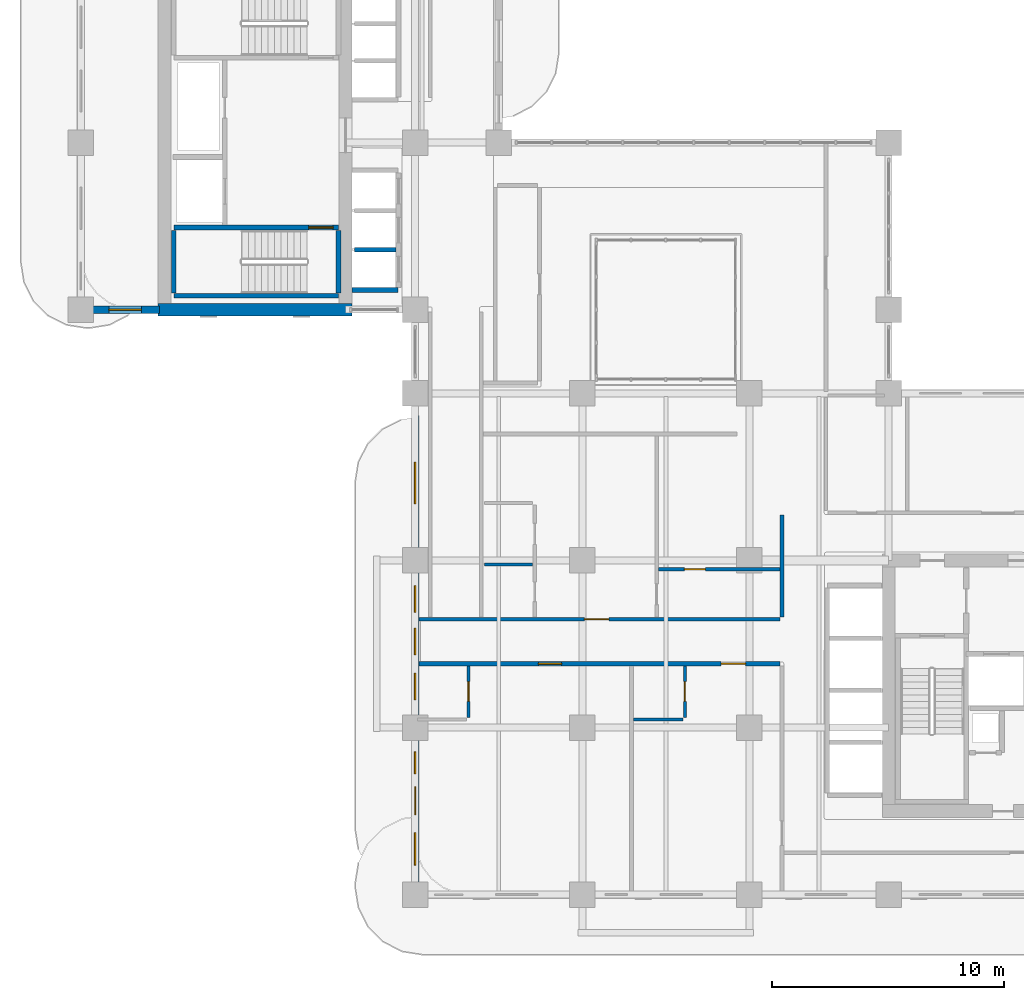
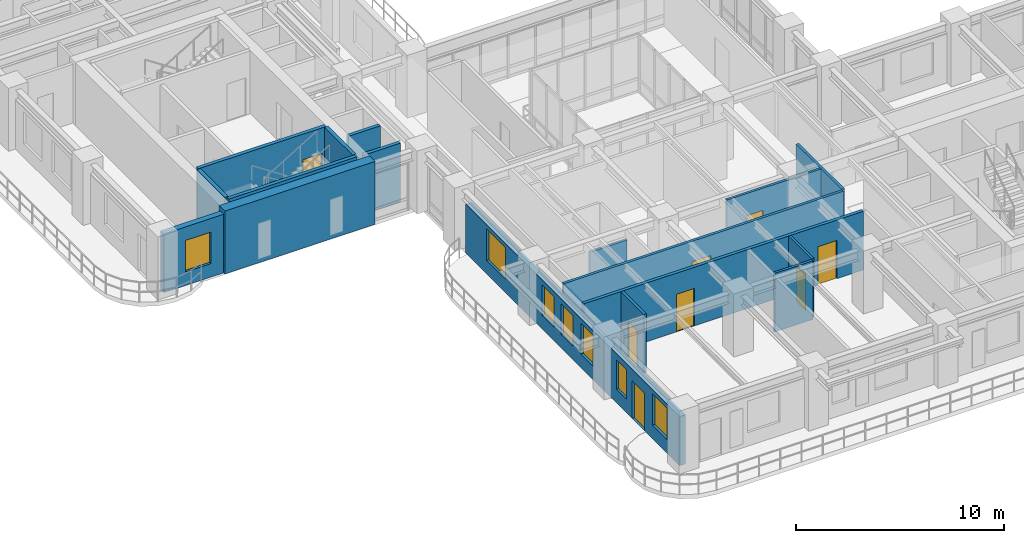
# One storey, part 12 of 22: 17 walls, 8 doors, 7 windows, 15 openings.
"""IFC4 building model written with IfcOpenShell, lengths in metres."""

from ifc_helpers import new_model, si_unit, derived_unit, direction, frame, frame_2d, origin, place, context, subcontext, project, spatial, rectangle, extrude, source, transform, mapped, material, layer, layer_set, type_object, type_shapes, element, fill, save


model = new_model("IFC4")

# Units and contexts
model_context = context("Model", 3, precision=1e-05, world=origin(), true_north=direction((0.0, 1.0)))
body_context = subcontext(model_context, "Body", "Model", "MODEL_VIEW")
ifc_project = project(units=[si_unit("LENGTHUNIT", "METRE"), si_unit("AREAUNIT", "SQUARE_METRE"), si_unit("VOLUMEUNIT", "CUBIC_METRE"), si_unit("PLANEANGLEUNIT", "RADIAN"), si_unit("MASSUNIT", "GRAM", prefix="KILO"), si_unit("THERMODYNAMICTEMPERATUREUNIT", "KELVIN"), si_unit("POWERUNIT", "WATT"), derived_unit("THERMALTRANSMITTANCEUNIT", [(si_unit("POWERUNIT", "WATT"), 1), (si_unit("AREAUNIT", "SQUARE_METRE"), -1), (si_unit("THERMODYNAMICTEMPERATUREUNIT", "KELVIN"), -1)])], contexts=[model_context])

# Site, building, storey
site_placement = place(None, origin())
site = spatial("IfcSite", under=ifc_project, at=site_placement, CompositionType="ELEMENT")
building_placement = place(site_placement, origin())
building = spatial("IfcBuilding", under=site, at=building_placement, Name="Zahravan Archway Hotel and Residences", CompositionType="ELEMENT")
storey_placement = place(building_placement, frame((0.0, 0.0, 84.199951171875)))
storey = spatial("IfcBuildingStorey", under=building, at=storey_placement, Name="L20", CompositionType="ELEMENT", Elevation=84.199951171875)

# Wall
ifc_material_1 = material(Name="Concrete C70/85", Category="concrete")
ifc_layer_1 = layer(ifc_material_1, 0.550048828125, Name="Concrete C70/85", Category="concrete")
ifc_layer_set_1 = layer_set([ifc_layer_1], Name="Concrete C70/85")
wall_type_1 = type_object("IfcWallType", Name="CW-CORE-550", PredefinedType="SHEAR", material=ifc_layer_set_1)
wall_1_placement = place(storey_placement, frame((3.324951171875, 25.199951171875, 0.0), z_axis=(0.0, 0.0, 1.0), x_axis=(1.0, 0.0, 0.0)))
element("IfcWall", 1, at=wall_1_placement, inside=storey, type_object=wall_type_1, Name="L20 Core B Shear S Wall 550 mm", PredefinedType="SHEAR", context=body_context, shape_type="SweptSolid", body=[
    extrude(rectangle(XDim=8.35009765625, YDim=0.550048828125, at=frame_2d((4.175048828125, 0.0))), origin(), (0.0, 0.0, 1.0), 3.699951171875),
])

# Wall, openings, door, windows
ifc_material_2 = material(Name="Agra Buff Sandstone & Insulated Backup", Category="masonry")
ifc_layer_2 = layer(ifc_material_2, 0.320068359375, Name="Agra Buff Sandstone & Insulated Backup", Category="masonry")
ifc_layer_set_2 = layer_set([ifc_layer_2], Name="Agra Buff Sandstone & Insulated Backup")
wall_type_2 = type_object("IfcWallType", Name="EW-SAND-320", PredefinedType="SOLIDWALL", material=ifc_layer_set_2)
wall_2_placement = place(storey_placement, frame((14.39990234375, 0.050048828125, 0.0), z_axis=(0.0, 0.0, 1.0), x_axis=(0.0, 1.0, 0.0)))
wall_2 = element("IfcWall", 2, at=wall_2_placement, inside=storey, type_object=wall_type_2, Name="L20 Exterior Sandstone Wall WA-WL", PredefinedType="SOLIDWALL", context=body_context, shape_type="SweptSolid", body=[
    extrude(rectangle(XDim=20.599853515625, YDim=0.320068359375, at=frame_2d((10.2998046875, 0.0))), origin(), (0.0, 0.0, 1.0), 2.885009765625),
])
opening_1_placement = place(wall_2_placement, frame((3.39990234375, 0.0, 0.0)))
opening_1 = element("IfcOpeningElement", 3, at=opening_1_placement, cuts=wall_2, Name="Opening ED-BL1", PredefinedType="OPENING", context=body_context, shape_type="SweptSolid", body=[
    extrude(rectangle(XDim=1.199951171875, YDim=2.199951171875, at=frame_2d((0.60009765625, 1.10009765625))), frame((0.0, 0.169921875, 0.0), z_axis=(0.0, -1.0, 0.0), x_axis=(1.0, 0.0, 0.0)), (0.0, 0.0, 1.0), 0.340087890625),
])
opening_2_placement = place(wall_2_placement, frame((1.22509765625, 0.0, 0.800048828125)))
opening_2 = element("IfcOpeningElement", 4, at=opening_2_placement, cuts=wall_2, Name="Opening W-03", PredefinedType="OPENING", context=body_context, shape_type="SweptSolid", body=[
    extrude(rectangle(XDim=1.39990234375, YDim=1.85009765625, at=frame_2d((0.699951171875, 0.925048828125))), frame((0.0, 0.169921875, 0.0), z_axis=(0.0, -1.0, 0.0), x_axis=(1.0, 0.0, 0.0)), (0.0, 0.0, 1.0), 0.340087890625),
])
opening_3_placement = place(wall_2_placement, frame((5.14990234375, 0.0, 0.800048828125)))
opening_3 = element("IfcOpeningElement", 5, at=opening_3_placement, cuts=wall_2, Name="Opening W-04", PredefinedType="OPENING", context=body_context, shape_type="SweptSolid", body=[
    extrude(rectangle(XDim=0.949951171875, YDim=1.75, at=frame_2d((0.47509765625, 0.875))), frame((0.0, 0.169921875, 0.0), z_axis=(0.0, -1.0, 0.0), x_axis=(1.0, 0.0, 0.0)), (0.0, 0.0, 1.0), 0.340087890625),
])
opening_4_placement = place(wall_2_placement, frame((8.345947265625, 0.0, 0.800048828125)))
opening_4 = element("IfcOpeningElement", 6, at=opening_4_placement, cuts=wall_2, Name="Opening W-05", PredefinedType="OPENING", context=body_context, shape_type="SweptSolid", body=[
    extrude(rectangle(XDim=1.14990234375, YDim=1.800048828125, at=frame_2d((0.574951171875, 0.89990234375))), frame((0.0, 0.169921875, 0.0), z_axis=(0.0, -1.0, 0.0), x_axis=(1.0, 0.0, 0.0)), (0.0, 0.0, 1.0), 0.340087890625),
])
opening_5_placement = place(wall_2_placement, frame((10.284912109375, 0.0, 0.800048828125)))
opening_5 = element("IfcOpeningElement", 7, at=opening_5_placement, cuts=wall_2, Name="Opening W-05", PredefinedType="OPENING", context=body_context, shape_type="SweptSolid", body=[
    extrude(rectangle(XDim=1.14990234375, YDim=1.800048828125, at=frame_2d((0.574951171875, 0.89990234375))), frame((0.0, 0.169921875, 0.0), z_axis=(0.0, -1.0, 0.0), x_axis=(1.0, 0.0, 0.0)), (0.0, 0.0, 1.0), 0.340087890625),
])
opening_6_placement = place(wall_2_placement, frame((12.114013671875, 0.0, 0.800048828125)))
opening_6 = element("IfcOpeningElement", 8, at=opening_6_placement, cuts=wall_2, Name="Opening W-05", PredefinedType="OPENING", context=body_context, shape_type="SweptSolid", body=[
    extrude(rectangle(XDim=1.14990234375, YDim=1.800048828125, at=frame_2d((0.574951171875, 0.89990234375))), frame((0.0, 0.169921875, 0.0), z_axis=(0.0, -1.0, 0.0), x_axis=(1.0, 0.0, 0.0)), (0.0, 0.0, 1.0), 0.340087890625),
])
opening_7_placement = place(wall_2_placement, frame((16.7900390625, 0.0, 0.800048828125)))
opening_7 = element("IfcOpeningElement", 9, at=opening_7_placement, cuts=wall_2, Name="Opening W-02", PredefinedType="OPENING", context=body_context, shape_type="SweptSolid", body=[
    extrude(rectangle(XDim=1.800048828125, YDim=1.85009765625, at=frame_2d((0.89990234375, 0.925048828125))), frame((0.0, 0.169921875, 0.0), z_axis=(0.0, -1.0, 0.0), x_axis=(1.0, 0.0, 0.0)), (0.0, 0.0, 1.0), 0.340087890625),
])
ifc_material_3 = material(Name="Bronze-Anodized Glazed Aluminium", Category="aluminium")
door_type_1 = type_object("IfcDoorType", Name="ED-BALC-1200", OperationType="SLIDING_TO_LEFT", PredefinedType="DOOR", material=ifc_material_3)
shared_shape_1 = source(origin(), body_context, "Body", "SweptSolid", [
    extrude(rectangle(XDim=1.199951171875, YDim=2.199951171875, at=frame_2d((0.60009765625, 1.10009765625))), frame((0.0, 0.02490234375, 0.0), z_axis=(0.0, -1.0, 0.0), x_axis=(1.0, 0.0, 0.0)), (0.0, 0.0, 1.0), 0.050048828125),
])
type_shapes(door_type_1, [shared_shape_1])
door_1_placement = place(opening_1_placement, origin())
door_1 = element("IfcDoor", 10, at=door_1_placement, inside=storey, type_object=door_type_1, Name="L20 Outdoor Access Sliding Door (SLB-BAL-L20-WA)", OperationType="SLIDING_TO_LEFT", OverallHeight=2.199951171875, OverallWidth=1.199951171875, PredefinedType="DOOR", context=body_context, shape_type="MappedRepresentation", body=[
    mapped(shared_shape_1, transform((0.0, 0.0, 0.0), scale=1.0)),
])
fill(opening_1, door_1)
ifc_material_4 = material(Name="Bronze-Anodized Thermal-Break Aluminium & Low-E Glass", Category="aluminium")
window_type_1 = type_object("IfcWindowType", Name="WIN-TWR-1400", PartitioningType="SINGLE_PANEL", PredefinedType="WINDOW", material=ifc_material_4)
shared_shape_2 = source(origin(), body_context, "Body", "SweptSolid", [
    extrude(rectangle(XDim=1.39990234375, YDim=1.85009765625, at=frame_2d((0.699951171875, 0.925048828125))), frame((0.0, 0.030029296875, 0.0), z_axis=(0.0, -1.0, 0.0), x_axis=(1.0, 0.0, 0.0)), (0.0, 0.0, 1.0), 0.06005859375),
])
type_shapes(window_type_1, [shared_shape_2])
window_1_placement = place(opening_2_placement, origin())
window_1 = element("IfcWindow", 11, at=window_1_placement, inside=storey, type_object=window_type_1, Name="L20 Loggia Window 22", OverallHeight=1.85009765625, OverallWidth=1.39990234375, PartitioningType="SINGLE_PANEL", PredefinedType="WINDOW", context=body_context, shape_type="MappedRepresentation", body=[
    mapped(shared_shape_2, transform((0.0, 0.0, 0.0), scale=1.0)),
])
fill(opening_2, window_1)
window_type_2 = type_object("IfcWindowType", Name="WIN-NAR-950", PartitioningType="SINGLE_PANEL", PredefinedType="WINDOW", material=ifc_material_4)
shared_shape_3 = source(origin(), body_context, "Body", "SweptSolid", [
    extrude(rectangle(XDim=0.949951171875, YDim=1.75, at=frame_2d((0.47509765625, 0.875))), frame((0.0, 0.030029296875, 0.0), z_axis=(0.0, -1.0, 0.0), x_axis=(1.0, 0.0, 0.0)), (0.0, 0.0, 1.0), 0.06005859375),
])
type_shapes(window_type_2, [shared_shape_3])
window_2_placement = place(opening_3_placement, origin())
window_2 = element("IfcWindow", 12, at=window_2_placement, inside=storey, type_object=window_type_2, Name="L20 Loggia Window 23", OverallHeight=1.75, OverallWidth=0.949951171875, PartitioningType="SINGLE_PANEL", PredefinedType="WINDOW", context=body_context, shape_type="MappedRepresentation", body=[
    mapped(shared_shape_3, transform((0.0, 0.0, 0.0), scale=1.0)),
])
fill(opening_3, window_2)
window_type_3 = type_object("IfcWindowType", Name="WIN-TWR-1800", PartitioningType="DOUBLE_PANEL_VERTICAL", PredefinedType="WINDOW", material=ifc_material_4)
shared_shape_4 = source(origin(), body_context, "Body", "SweptSolid", [
    extrude(rectangle(XDim=1.800048828125, YDim=1.85009765625, at=frame_2d((0.89990234375, 0.925048828125))), frame((0.0, 0.030029296875, 0.0), z_axis=(0.0, -1.0, 0.0), x_axis=(1.0, 0.0, 0.0)), (0.0, 0.0, 1.0), 0.06005859375),
])
type_shapes(window_type_3, [shared_shape_4])
window_3_placement = place(opening_7_placement, origin())
window_3 = element("IfcWindow", 13, at=window_3_placement, inside=storey, type_object=window_type_3, Name="L20 Loggia Window 27", OverallHeight=1.85009765625, OverallWidth=1.800048828125, PartitioningType="DOUBLE_PANEL_VERTICAL", PredefinedType="WINDOW", context=body_context, shape_type="MappedRepresentation", body=[
    mapped(shared_shape_4, transform((0.0, 0.0, 0.0), scale=1.0)),
])
fill(opening_7, window_3)
window_type_4 = type_object("IfcWindowType", Name="WIN-TWR-1150", PartitioningType="SINGLE_PANEL", PredefinedType="WINDOW", material=ifc_material_4)
shared_shape_5 = source(origin(), body_context, "Body", "SweptSolid", [
    extrude(rectangle(XDim=1.14990234375, YDim=1.800048828125, at=frame_2d((0.574951171875, 0.89990234375))), frame((0.0, 0.030029296875, 0.0), z_axis=(0.0, -1.0, 0.0), x_axis=(1.0, 0.0, 0.0)), (0.0, 0.0, 1.0), 0.06005859375),
])
type_shapes(window_type_4, [shared_shape_5])
window_4_placement = place(opening_4_placement, origin())
window_4 = element("IfcWindow", 14, at=window_4_placement, inside=storey, type_object=window_type_4, Name="L20 Loggia Window 24", OverallHeight=1.800048828125, OverallWidth=1.14990234375, PartitioningType="SINGLE_PANEL", PredefinedType="WINDOW", context=body_context, shape_type="MappedRepresentation", body=[
    mapped(shared_shape_5, transform((0.0, 0.0, 0.0), scale=1.0)),
])
fill(opening_4, window_4)
window_5_placement = place(opening_5_placement, origin())
window_5 = element("IfcWindow", 15, at=window_5_placement, inside=storey, type_object=window_type_4, Name="L20 Loggia Window 25", OverallHeight=1.800048828125, OverallWidth=1.14990234375, PartitioningType="SINGLE_PANEL", PredefinedType="WINDOW", context=body_context, shape_type="MappedRepresentation", body=[
    mapped(shared_shape_5, transform((0.0, 0.0, 0.0), scale=1.0)),
])
fill(opening_5, window_5)
window_6_placement = place(opening_6_placement, origin())
window_6 = element("IfcWindow", 16, at=window_6_placement, inside=storey, type_object=window_type_4, Name="L20 Loggia Window 26", OverallHeight=1.800048828125, OverallWidth=1.14990234375, PartitioningType="SINGLE_PANEL", PredefinedType="WINDOW", context=body_context, shape_type="MappedRepresentation", body=[
    mapped(shared_shape_5, transform((0.0, 0.0, 0.0), scale=1.0)),
])
fill(opening_6, window_6)

# Wall, opening, window
wall_3_placement = place(storey_placement, frame((0.0, 25.199951171875, 0.0), z_axis=(0.0, 0.0, 1.0), x_axis=(1.0, 0.0, 0.0)))
wall_3 = element("IfcWall", 17, at=wall_3_placement, inside=storey, type_object=wall_type_2, Name="L20 Exterior Sandstone Wall WB-SW", PredefinedType="SOLIDWALL", context=body_context, shape_type="SweptSolid", body=[
    extrude(rectangle(XDim=3.3798828125, YDim=0.320068359375, at=frame_2d((1.68994140625, 0.0))), origin(), (0.0, 0.0, 1.0), 3.449951171875),
])
opening_8_placement = place(wall_3_placement, frame((1.205078125, 0.0, 0.800048828125)))
opening_8 = element("IfcOpeningElement", 18, at=opening_8_placement, cuts=wall_3, Name="Opening W-03", PredefinedType="OPENING", context=body_context, shape_type="SweptSolid", body=[
    extrude(rectangle(XDim=1.39990234375, YDim=1.85009765625, at=frame_2d((0.699951171875, 0.925048828125))), frame((0.0, 0.169921875, 0.0), z_axis=(0.0, -1.0, 0.0), x_axis=(1.0, 0.0, 0.0)), (0.0, 0.0, 1.0), 0.340087890625),
])
window_7_placement = place(opening_8_placement, origin())
window_7 = element("IfcWindow", 19, at=window_7_placement, inside=storey, type_object=window_type_1, Name="L20 Loggia Window 28", OverallHeight=1.85009765625, OverallWidth=1.39990234375, PartitioningType="SINGLE_PANEL", PredefinedType="WINDOW", context=body_context, shape_type="MappedRepresentation", body=[
    mapped(shared_shape_2, transform((0.0, 0.0, 0.0), scale=1.0)),
])
fill(opening_8, window_7)

# Wall, opening, door
ifc_material_5 = material(Name="Fire-Rated Gypsum & Concrete Block", Category="concrete")
ifc_layer_3 = layer(ifc_material_5, 0.159912109375, Name="Fire-Rated Gypsum & Concrete Block", Category="concrete")
ifc_layer_set_3 = layer_set([ifc_layer_3], Name="Fire-Rated Gypsum & Concrete Block")
wall_type_3 = type_object("IfcWallType", Name="PW-CORR-160", PredefinedType="PARTITIONING", material=ifc_layer_set_3)
wall_4_placement = place(storey_placement, frame((14.568115234375, 11.8701171875, 0.0), z_axis=(0.0, 0.0, 1.0), x_axis=(1.0, 0.0, 0.0)))
wall_4 = element("IfcWall", 20, at=wall_4_placement, inside=storey, type_object=wall_type_3, Name="L20 Partition WA-CN", PredefinedType="PARTITIONING", context=body_context, shape_type="SweptSolid", body=[
    extrude(rectangle(XDim=15.5419921875, YDim=0.159912109375, at=frame_2d((7.77099609375, 0.0))), origin(), (0.0, 0.0, 1.0), 3.449951171875),
])
opening_9_placement = place(wall_4_placement, frame((7.1220703125, 0.0, 0.0)))
opening_9 = element("IfcOpeningElement", 21, at=opening_9_placement, cuts=wall_4, Name="Opening D-U1", PredefinedType="OPENING", context=body_context, shape_type="SweptSolid", body=[
    extrude(rectangle(XDim=1.050048828125, YDim=2.25, at=frame_2d((0.52490234375, 1.125))), frame((0.0, 0.08984375, 0.0), z_axis=(0.0, -1.0, 0.0), x_axis=(1.0, 0.0, 0.0)), (0.0, 0.0, 1.0), 0.179931640625),
])
ifc_material_6 = material(Name="Hardwood Veneer Timber", Category="wood")
door_type_2 = type_object("IfcDoorType", Name="ID-UNIT-1050", OperationType="NOTDEFINED", PredefinedType="DOOR", material=ifc_material_6)
shared_shape_6 = source(origin(), body_context, "Body", "SweptSolid", [
    extrude(rectangle(XDim=1.050048828125, YDim=2.25, at=frame_2d((0.52490234375, 1.125))), frame((0.0, 0.02490234375, 0.0), z_axis=(0.0, -1.0, 0.0), x_axis=(1.0, 0.0, 0.0)), (0.0, 0.0, 1.0), 0.050048828125),
])
type_shapes(door_type_2, [shared_shape_6])
door_2_placement = place(opening_9_placement, origin())
door_2 = element("IfcDoor", 22, at=door_2_placement, inside=storey, type_object=door_type_2, Name="L20 Flat AT1 Entrance Door", OperationType="SINGLE_SWING_RIGHT", OverallHeight=2.25, OverallWidth=1.050048828125, PredefinedType="DOOR", context=body_context, shape_type="MappedRepresentation", body=[
    mapped(shared_shape_6, transform((0.0, 0.0, 0.0), scale=1.0)),
])
fill(opening_9, door_2)

# Wall
wall_5_placement = place(storey_placement, frame((30.199951171875, 11.9599609375, 0.0), z_axis=(0.0, 0.0, 1.0), x_axis=(0.0, 1.0, 0.0)))
element("IfcWall", 23, at=wall_5_placement, inside=storey, type_object=wall_type_3, Name="L20 Partition WA-FW", PredefinedType="PARTITIONING", context=body_context, shape_type="SweptSolid", body=[
    extrude(rectangle(XDim=4.400146484375, YDim=0.159912109375, at=frame_2d((2.2001953125, 0.0))), origin(), (0.0, 0.0, 1.0), 3.449951171875),
])

# Wall, openings, doors
ifc_layer_4 = layer(ifc_material_5, 0.179931640625, Name="Fire-Rated Gypsum & Concrete Block", Category="concrete")
ifc_layer_set_4 = layer_set([ifc_layer_4], Name="Fire-Rated Gypsum & Concrete Block")
wall_type_4 = type_object("IfcWallType", Name="PW-CORR-180", PredefinedType="PARTITIONING", material=ifc_layer_set_4)
wall_6_placement = place(storey_placement, frame((14.568115234375, 9.949951171875, 0.0), z_axis=(0.0, 0.0, 1.0), x_axis=(1.0, 0.0, 0.0)))
wall_6 = element("IfcWall", 24, at=wall_6_placement, inside=storey, type_object=wall_type_4, Name="L20 Partition WA-CS", PredefinedType="PARTITIONING", context=body_context, shape_type="SweptSolid", body=[
    extrude(rectangle(XDim=15.5419921875, YDim=0.179931640625, at=frame_2d((7.77099609375, 0.0))), origin(), (0.0, 0.0, 1.0), 3.449951171875),
])
opening_10_placement = place(wall_6_placement, frame((5.14208984375, 0.0, 0.0)))
opening_10 = element("IfcOpeningElement", 25, at=opening_10_placement, cuts=wall_6, Name="Opening D-U2", PredefinedType="OPENING", context=body_context, shape_type="SweptSolid", body=[
    extrude(rectangle(XDim=1.0, YDim=2.199951171875, at=frame_2d((0.5, 1.10009765625))), frame((0.0, 0.10009765625, 0.0), z_axis=(0.0, -1.0, 0.0), x_axis=(1.0, 0.0, 0.0)), (0.0, 0.0, 1.0), 0.199951171875),
])
opening_11_placement = place(wall_6_placement, frame((13.01708984375, 0.0, 0.0)))
opening_11 = element("IfcOpeningElement", 26, at=opening_11_placement, cuts=wall_6, Name="Opening D-U1", PredefinedType="OPENING", context=body_context, shape_type="SweptSolid", body=[
    extrude(rectangle(XDim=1.050048828125, YDim=2.25, at=frame_2d((0.52490234375, 1.125))), frame((0.0, 0.10009765625, 0.0), z_axis=(0.0, -1.0, 0.0), x_axis=(1.0, 0.0, 0.0)), (0.0, 0.0, 1.0), 0.199951171875),
])
door_3_placement = place(opening_11_placement, origin())
door_3 = element("IfcDoor", 27, at=door_3_placement, inside=storey, type_object=door_type_2, Name="L20 Hotel Guestroom 12 Entrance Door", OperationType="SINGLE_SWING_LEFT", OverallHeight=2.25, OverallWidth=1.050048828125, PredefinedType="DOOR", context=body_context, shape_type="MappedRepresentation", body=[
    mapped(shared_shape_6, transform((0.0, 0.0, 0.0), scale=1.0)),
])
fill(opening_11, door_3)
door_type_3 = type_object("IfcDoorType", Name="ID-UNIT-1000", OperationType="NOTDEFINED", PredefinedType="DOOR", material=ifc_material_6)
shared_shape_7 = source(origin(), body_context, "Body", "SweptSolid", [
    extrude(rectangle(XDim=1.0, YDim=2.199951171875, at=frame_2d((0.5, 1.10009765625))), frame((0.0, 0.02490234375, 0.0), z_axis=(0.0, -1.0, 0.0), x_axis=(1.0, 0.0, 0.0)), (0.0, 0.0, 1.0), 0.050048828125),
])
type_shapes(door_type_3, [shared_shape_7])
door_4_placement = place(opening_10_placement, origin())
door_4 = element("IfcDoor", 28, at=door_4_placement, inside=storey, type_object=door_type_3, Name="L20 Hotel Guestroom 11 Entrance Door", OperationType="SINGLE_SWING_LEFT", OverallHeight=2.199951171875, OverallWidth=1.0, PredefinedType="DOOR", context=body_context, shape_type="MappedRepresentation", body=[
    mapped(shared_shape_7, transform((0.0, 0.0, 0.0), scale=1.0)),
])
fill(opening_10, door_4)

# Walls
ifc_layer_5 = layer(ifc_material_5, 0.199951171875, Name="Fire-Rated Gypsum & Concrete Block", Category="concrete")
ifc_layer_set_5 = layer_set([ifc_layer_5], Name="Fire-Rated Gypsum & Concrete Block")
wall_type_5 = type_object("IfcWallType", Name="PW-SHAFT-200", PredefinedType="PARTITIONING", material=ifc_layer_set_5)
wall_7_placement = place(storey_placement, frame((11.68505859375, 26.050048828125, 0.0), z_axis=(0.0, 0.0, 1.0), x_axis=(1.0, 0.0, 0.0)))
element("IfcWall", 29, at=wall_7_placement, inside=storey, type_object=wall_type_5, Name="L20 Partition B1-S", PredefinedType="PARTITIONING", context=body_context, shape_type="SweptSolid", body=[
    extrude(rectangle(XDim=1.98486328125, YDim=0.199951171875, at=frame_2d((0.992431640625, 0.0))), origin(), (0.0, 0.0, 1.0), 3.449951171875),
])
wall_8_placement = place(storey_placement, frame((11.784912109375, 27.7900390625, 0.0), z_axis=(0.0, 0.0, 1.0), x_axis=(1.0, 0.0, 0.0)))
element("IfcWall", 30, at=wall_8_placement, inside=storey, type_object=wall_type_5, Name="L20 Partition B1-D", PredefinedType="PARTITIONING", context=body_context, shape_type="SweptSolid", body=[
    extrude(rectangle(XDim=1.78515625, YDim=0.199951171875, at=frame_2d((0.892578125, 0.0))), origin(), (0.0, 0.0, 1.0), 3.449951171875),
])

# Wall, opening, door
ifc_material_7 = material(Name="Acoustic Stud Partition")
ifc_layer_6 = layer(ifc_material_7, 0.14990234375, Name="Acoustic Stud Partition")
ifc_layer_set_6 = layer_set([ifc_layer_6], Name="Acoustic Stud Partition")
wall_type_6 = type_object("IfcWallType", Name="PW-UNIT-150", PredefinedType="PARTITIONING", material=ifc_layer_set_6)
wall_9_placement = place(storey_placement, frame((24.889892578125, 14.02001953125, 0.0), z_axis=(0.0, 0.0, 1.0), x_axis=(1.0, 0.0, 0.0)))
wall_9 = element("IfcWall", 31, at=wall_9_placement, inside=storey, type_object=wall_type_6, Name="L20 Partition FL-AT1-GH", PredefinedType="PARTITIONING", context=body_context, shape_type="SweptSolid", body=[
    extrude(rectangle(XDim=5.22021484375, YDim=0.14990234375, at=frame_2d((2.610107421875, 0.0))), origin(), (0.0, 0.0, 1.0), 3.449951171875),
])
opening_12_placement = place(wall_9_placement, frame((1.110107421875, 0.0, 0.0)))
opening_12 = element("IfcOpeningElement", 32, at=opening_12_placement, cuts=wall_9, Name="Opening D-I2", PredefinedType="OPENING", context=body_context, shape_type="SweptSolid", body=[
    extrude(rectangle(XDim=0.89990234375, YDim=2.14990234375, at=frame_2d((0.449951171875, 1.074951171875))), frame((0.0, 0.0849609375, 0.0), z_axis=(0.0, -1.0, 0.0), x_axis=(1.0, 0.0, 0.0)), (0.0, 0.0, 1.0), 0.169921875),
])
door_type_4 = type_object("IfcDoorType", Name="ID-INT-900", OperationType="NOTDEFINED", PredefinedType="DOOR", material=ifc_material_6)
shared_shape_8 = source(origin(), body_context, "Body", "SweptSolid", [
    extrude(rectangle(XDim=0.89990234375, YDim=2.14990234375, at=frame_2d((0.449951171875, 1.074951171875))), frame((0.0, 0.02490234375, 0.0), z_axis=(0.0, -1.0, 0.0), x_axis=(1.0, 0.0, 0.0)), (0.0, 0.0, 1.0), 0.050048828125),
])
type_shapes(door_type_4, [shared_shape_8])
door_5_placement = place(opening_12_placement, origin())
door_5 = element("IfcDoor", 33, at=door_5_placement, inside=storey, type_object=door_type_4, Name="L20 Flat AT1 Bedroom 1 Door", OperationType="SINGLE_SWING_RIGHT", OverallHeight=2.14990234375, OverallWidth=0.89990234375, PredefinedType="DOOR", context=body_context, shape_type="MappedRepresentation", body=[
    mapped(shared_shape_8, transform((0.0, 0.0, 0.0), scale=1.0)),
])
fill(opening_12, door_5)

ifc_material_8 = material(Name="Moisture-Resistant Blockwork", Category="masonry")
ifc_layer_7 = layer(ifc_material_8, 0.139892578125, Name="Moisture-Resistant Blockwork", Category="masonry")
ifc_layer_set_7 = layer_set([ifc_layer_7], Name="Moisture-Resistant Blockwork")
wall_type_7 = type_object("IfcWallType", Name="PW-WET-140", PredefinedType="PARTITIONING", material=ifc_layer_set_7)
wall_10_placement = place(storey_placement, frame((16.699951171875, 7.639892578125, 0.0), z_axis=(0.0, 0.0, 1.0), x_axis=(0.0, 1.0, 0.0)))
wall_10 = element("IfcWall", 34, at=wall_10_placement, inside=storey, type_object=wall_type_7, Name="L20 Partition HKB-V11", PredefinedType="PARTITIONING", context=body_context, shape_type="SweptSolid", body=[
    extrude(rectangle(XDim=2.22021484375, YDim=0.139892578125, at=frame_2d((1.110107421875, 0.0))), origin(), (0.0, 0.0, 1.0), 3.449951171875),
])
opening_13_placement = place(wall_10_placement, frame((0.68505859375, 0.0, 0.0)))
opening_13 = element("IfcOpeningElement", 35, at=opening_13_placement, cuts=wall_10, Name="Opening D-B1", PredefinedType="OPENING", context=body_context, shape_type="SweptSolid", body=[
    extrude(rectangle(XDim=0.85009765625, YDim=2.10009765625, at=frame_2d((0.425048828125, 1.050048828125))), frame((0.0, 0.080078125, 0.0), z_axis=(0.0, -1.0, 0.0), x_axis=(1.0, 0.0, 0.0)), (0.0, 0.0, 1.0), 0.159912109375),
])
door_type_5 = type_object("IfcDoorType", Name="ID-BATH-850", OperationType="NOTDEFINED", PredefinedType="DOOR", material=ifc_material_6)
shared_shape_9 = source(origin(), body_context, "Body", "SweptSolid", [
    extrude(rectangle(XDim=0.85009765625, YDim=2.10009765625, at=frame_2d((0.425048828125, 1.050048828125))), frame((0.0, 0.02490234375, 0.0), z_axis=(0.0, -1.0, 0.0), x_axis=(1.0, 0.0, 0.0)), (0.0, 0.0, 1.0), 0.050048828125),
])
type_shapes(door_type_5, [shared_shape_9])
door_6_placement = place(opening_13_placement, origin())
door_6 = element("IfcDoor", 36, at=door_6_placement, inside=storey, type_object=door_type_5, Name="L20 Guestroom 11 En-Suite Door", OperationType="SINGLE_SWING_RIGHT", OverallHeight=2.10009765625, OverallWidth=0.85009765625, PredefinedType="DOOR", context=body_context, shape_type="MappedRepresentation", body=[
    mapped(shared_shape_9, transform((0.0, 0.0, 0.0), scale=1.0)),
])
fill(opening_13, door_6)

wall_11_placement = place(storey_placement, frame((26.02001953125, 7.639892578125, 0.0), z_axis=(0.0, 0.0, 1.0), x_axis=(0.0, 1.0, 0.0)))
wall_11 = element("IfcWall", 37, at=wall_11_placement, inside=storey, type_object=wall_type_7, Name="L20 Partition HKB-V12", PredefinedType="PARTITIONING", context=body_context, shape_type="SweptSolid", body=[
    extrude(rectangle(XDim=2.22021484375, YDim=0.139892578125, at=frame_2d((1.110107421875, 0.0))), origin(), (0.0, 0.0, 1.0), 3.449951171875),
])
opening_14_placement = place(wall_11_placement, frame((0.68505859375, 0.0, 0.0)))
opening_14 = element("IfcOpeningElement", 38, at=opening_14_placement, cuts=wall_11, Name="Opening D-B1", PredefinedType="OPENING", context=body_context, shape_type="SweptSolid", body=[
    extrude(rectangle(XDim=0.85009765625, YDim=2.10009765625, at=frame_2d((0.425048828125, 1.050048828125))), frame((0.0, 0.080078125, 0.0), z_axis=(0.0, -1.0, 0.0), x_axis=(1.0, 0.0, 0.0)), (0.0, 0.0, 1.0), 0.159912109375),
])
door_7_placement = place(opening_14_placement, origin())
door_7 = element("IfcDoor", 39, at=door_7_placement, inside=storey, type_object=door_type_5, Name="L20 Guestroom 12 En-Suite Door", OperationType="SINGLE_SWING_RIGHT", OverallHeight=2.10009765625, OverallWidth=0.85009765625, PredefinedType="DOOR", context=body_context, shape_type="MappedRepresentation", body=[
    mapped(shared_shape_9, transform((0.0, 0.0, 0.0), scale=1.0)),
])
fill(opening_14, door_7)

# Walls
wall_12_placement = place(storey_placement, frame((23.81005859375, 7.550048828125, 0.0), z_axis=(0.0, 0.0, 1.0), x_axis=(1.0, 0.0, 0.0)))
element("IfcWall", 40, at=wall_12_placement, inside=storey, type_object=wall_type_7, Name="L20 Partition HKB-H12", PredefinedType="PARTITIONING", context=body_context, shape_type="SweptSolid", body=[
    extrude(rectangle(XDim=2.119873046875, YDim=0.139892578125, at=frame_2d((1.06005859375, 0.0))), origin(), (0.0, 0.0, 1.0), 3.449951171875),
])
wall_13_placement = place(storey_placement, frame((17.389892578125, 14.219970703125, 0.0), z_axis=(0.0, 0.0, 1.0), x_axis=(1.0, 0.0, 0.0)))
element("IfcWall", 41, at=wall_13_placement, inside=storey, type_object=wall_type_7, Name="L20 Partition FL-AT1-BM", PredefinedType="PARTITIONING", context=body_context, shape_type="SweptSolid", body=[
    extrude(rectangle(XDim=2.070068359375, YDim=0.139892578125, at=frame_2d((1.03515625, 0.0))), origin(), (0.0, 0.0, 1.0), 2.885009765625),
])
ifc_material_9 = material(Name="Concrete C50/60", Category="concrete")
ifc_layer_8 = layer(ifc_material_9, 0.199951171875, Name="Concrete C50/60", Category="concrete")
ifc_layer_set_8 = layer_set([ifc_layer_8], Name="Concrete C50/60")
wall_type_8 = type_object("IfcWallType", Name="SW-STAIR-200", PredefinedType="SHEAR", material=ifc_layer_set_8)
wall_14_placement = place(storey_placement, frame((4.0, 25.800048828125, 0.0), z_axis=(0.0, 0.0, 1.0), x_axis=(1.0, 0.0, 0.0)))
element("IfcWall", 42, at=wall_14_placement, inside=storey, type_object=wall_type_8, Name="L20 Stairwell RC Wall CB-SB1S", PredefinedType="SHEAR", context=body_context, shape_type="SweptSolid", body=[
    extrude(rectangle(XDim=7.10009765625, YDim=0.199951171875, at=frame_2d((3.550048828125, 0.0))), origin(), (0.0, 0.0, 1.0), 3.699951171875),
])
for number, where, z_axis, x_axis, name in (
    (43, (4.0, 25.919921875, 0.0), (0.0, 0.0, 1.0), (0.0, 1.0, 0.0), "L20 Stairwell RC Wall CB-SB1W"),
    (44, (11.10009765625, 25.919921875, 0.0), (0.0, 0.0, 1.0), (0.0, 1.0, 0.0), "L20 Stairwell RC Wall CB-SB1E"),
):
    element("IfcWall", number, at=place(storey_placement, frame(where, z_axis=z_axis, x_axis=x_axis)), inside=storey, type_object=wall_type_8, Name=name, PredefinedType="SHEAR", context=body_context, shape_type="SweptSolid", body=[
        extrude(rectangle(XDim=2.7001953125, YDim=0.199951171875, at=frame_2d((1.35009765625, 0.0))), origin(), (0.0, 0.0, 1.0), 3.699951171875),
    ])

# Wall, opening, door
wall_15_placement = place(storey_placement, frame((4.0, 28.739990234375, 0.0), z_axis=(0.0, 0.0, 1.0), x_axis=(1.0, 0.0, 0.0)))
wall_15 = element("IfcWall", 45, at=wall_15_placement, inside=storey, type_object=wall_type_8, Name="L20 Stairwell RC Wall CB-SB1N", PredefinedType="SHEAR", context=body_context, shape_type="SweptSolid", body=[
    extrude(rectangle(XDim=7.10009765625, YDim=0.199951171875, at=frame_2d((3.550048828125, 0.0))), origin(), (0.0, 0.0, 1.0), 3.699951171875),
])
opening_15_placement = place(wall_15_placement, frame((5.81494140625, 0.0, 0.0)))
opening_15 = element("IfcOpeningElement", 46, at=opening_15_placement, cuts=wall_15, Name="Opening FD-S1", PredefinedType="OPENING", context=body_context, shape_type="SweptSolid", body=[
    extrude(rectangle(XDim=1.050048828125, YDim=2.199951171875, at=frame_2d((0.52490234375, 1.10009765625))), frame((0.0, 0.10986328125, 0.0), z_axis=(0.0, -1.0, 0.0), x_axis=(1.0, 0.0, 0.0)), (0.0, 0.0, 1.0), 0.219970703125),
])
ifc_material_10 = material(Name="Fire-Rated Painted Steel", Category="steel")
door_type_6 = type_object("IfcDoorType", Name="FD-STAIR-1100", OperationType="NOTDEFINED", PredefinedType="DOOR", material=ifc_material_10)
shared_shape_10 = source(origin(), body_context, "Body", "SweptSolid", [
    extrude(rectangle(XDim=1.050048828125, YDim=2.199951171875, at=frame_2d((0.52490234375, 1.10009765625))), frame((0.0, 0.02490234375, 0.0), z_axis=(0.0, -1.0, 0.0), x_axis=(1.0, 0.0, 0.0)), (0.0, 0.0, 1.0), 0.050048828125),
])
type_shapes(door_type_6, [shared_shape_10])
door_8_placement = place(opening_15_placement, origin())
door_8 = element("IfcDoor", 47, at=door_8_placement, inside=storey, type_object=door_type_6, Name="L20 Stair ST-B1 Door", OperationType="SINGLE_SWING_LEFT", OverallHeight=2.199951171875, OverallWidth=1.050048828125, PredefinedType="DOOR", context=body_context, shape_type="MappedRepresentation", body=[
    mapped(shared_shape_10, transform((0.0, 0.0, 0.0), scale=1.0)),
])
fill(opening_15, door_8)

save(model, "model.ifc")
